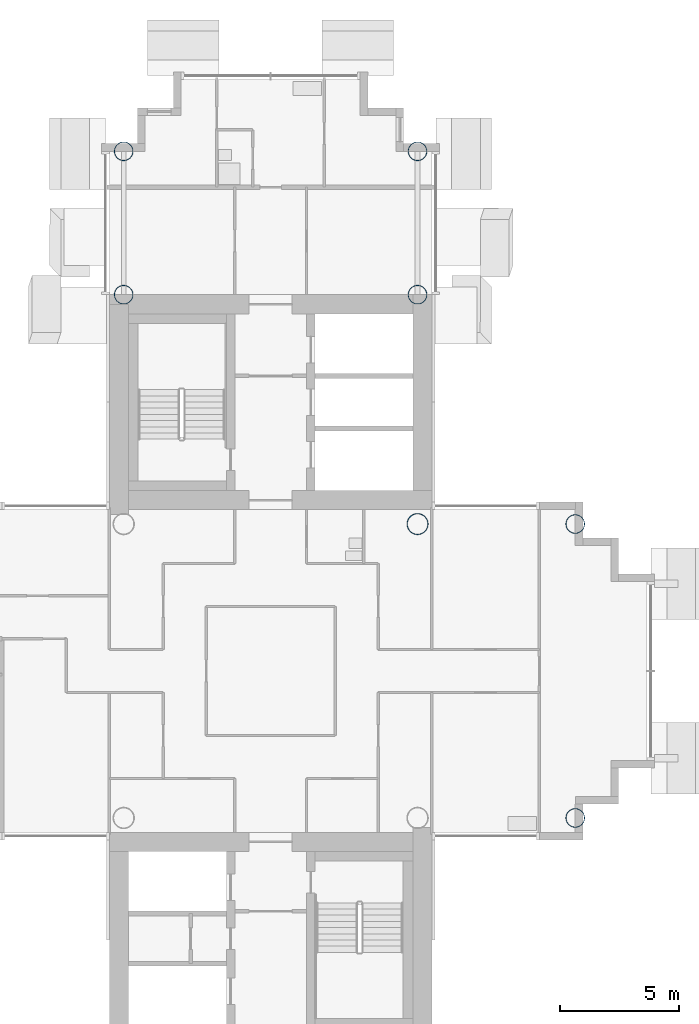
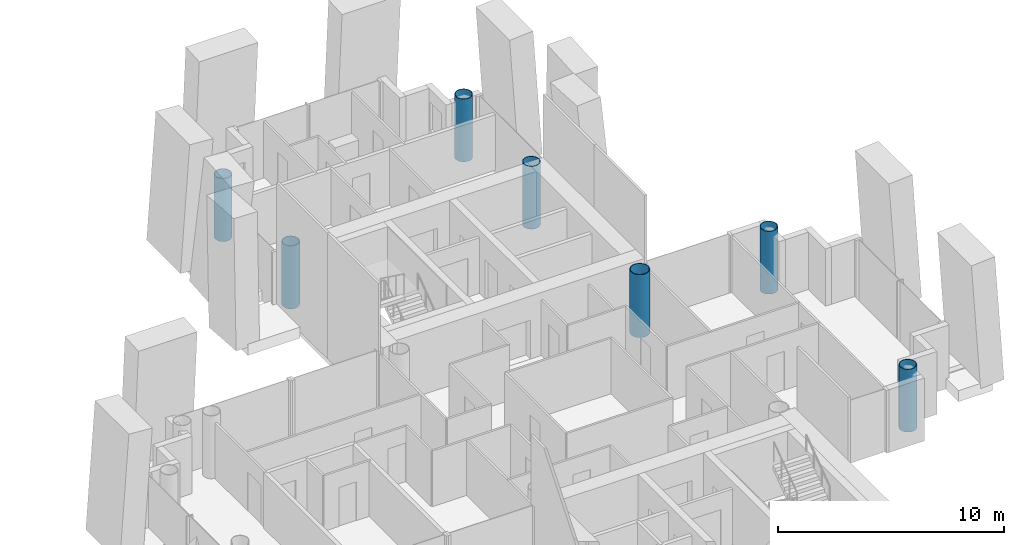
# One storey, part 2 of 19: 7 columns.
"""IFC4 building model written with IfcOpenShell, lengths in metres."""

from ifc_helpers import new_model, si_unit, direction, frame, origin, origin_2d, place, context, subcontext, project, spatial, hollow_circle, extrude, material, material_profile, profile_set, type_object, element, save


model = new_model("IFC4")

# Units and contexts
model_context = context("Model", 3, precision=1e-05, world=origin(), true_north=direction((0.0, 1.0)))
body_context = subcontext(model_context, "Body", "Model", "MODEL_VIEW")
ifc_project = project(units=[si_unit("LENGTHUNIT", "METRE"), si_unit("AREAUNIT", "SQUARE_METRE"), si_unit("VOLUMEUNIT", "CUBIC_METRE"), si_unit("PLANEANGLEUNIT", "RADIAN"), si_unit("MASSUNIT", "GRAM", prefix="KILO")], contexts=[model_context])

# Site, building, storey
site_placement = place(None, origin())
site = spatial("IfcSite", under=ifc_project, at=site_placement, CompositionType="ELEMENT")
building_placement = place(site_placement, origin())
building = spatial("IfcBuilding", under=site, at=building_placement, Name="Ipe Terrace Towers", CompositionType="ELEMENT")
storey_placement = place(building_placement, frame((0.0, 0.0, 137.10009765625)))
storey = spatial("IfcBuildingStorey", under=building, at=storey_placement, Name="L37", CompositionType="ELEMENT", Elevation=137.10009765625)

# Columns
ifc_material_1 = material(Name="Steel S355 tube with Concrete C60/75 fill", Category="concrete")
ifc_material_profile_1 = material_profile(ifc_material_1, hollow_circle(Radius=0.39990234375, WallThickness=0.028076171875, at=origin_2d()), Name="CHS-800x28")
ifc_profile_set_1 = profile_set([ifc_material_profile_1], Name="Steel S355 tube with Concrete C60/75 fill")
column_type_1 = type_object("IfcColumnType", Name="CH09 COLUMN CHS-800x28", PredefinedType="COLUMN", material=ifc_profile_set_1)
for number, where, z_axis, x_axis, name in (
    (1, (42.14990234375, 15.75, 0.0), (0.0, 0.0, 1.0), (1.0, 0.0, 0.0), "Column T2-C-A01"),
    (2, (29.85009765625, 15.75, 0.0), (0.0, 0.0, 1.0), (1.0, 0.0, 0.0), "Column T2-C-A02"),
    (3, (42.14990234375, 21.75, 0.0), (0.0, 0.0, 1.0), (1.0, 0.0, 0.0), "Column T2-C-A03"),
    (4, (29.85009765625, 21.75, 0.0), (0.0, 0.0, 1.0), (1.0, 0.0, 0.0), "Column T2-C-A04"),
    (5, (48.75, -6.14990234375, 0.0), (0.0, 0.0, 1.0), (1.0, 0.0, 0.0), "Column T2-C-D01"),
    (6, (48.75, 6.14990234375, 0.0), (0.0, 0.0, 1.0), (1.0, 0.0, 0.0), "Column T2-C-D02"),
):
    element("IfcColumn", number, at=place(storey_placement, frame(where, z_axis=z_axis, x_axis=x_axis)), inside=storey, type_object=column_type_1, Name=name, PredefinedType="COLUMN", context=body_context, shape_type="SweptSolid", body=[
        extrude(hollow_circle(Radius=0.39990234375, WallThickness=0.028076171875, at=origin_2d()), origin(), (0.0, 0.0, 1.0), 3.39990234375),
    ])
ifc_material_2 = material(Name="Steel S355 tube with Concrete C60/75 fill", Category="concrete")
ifc_material_profile_2 = material_profile(ifc_material_2, hollow_circle(Radius=0.449951171875, WallThickness=0.031982421875, at=origin_2d()), Name="CHS-900x32")
ifc_profile_set_2 = profile_set([ifc_material_profile_2], Name="Steel S355 tube with Concrete C60/75 fill")
column_type_2 = type_object("IfcColumnType", Name="CH10 COLUMN CHS-900x32", PredefinedType="COLUMN", material=ifc_profile_set_2)
column_placement = place(storey_placement, frame((42.14990234375, 6.14990234375, 0.0), z_axis=(0.0, 0.0, 1.0), x_axis=(1.0, 0.0, 0.0)))
element("IfcColumn", 7, at=column_placement, inside=storey, type_object=column_type_2, Name="Column T2-C-E02", PredefinedType="COLUMN", context=body_context, shape_type="SweptSolid", body=[
    extrude(hollow_circle(Radius=0.449951171875, WallThickness=0.031982421875, at=origin_2d()), origin(), (0.0, 0.0, 1.0), 3.39990234375),
])

save(model, "model.ifc")
